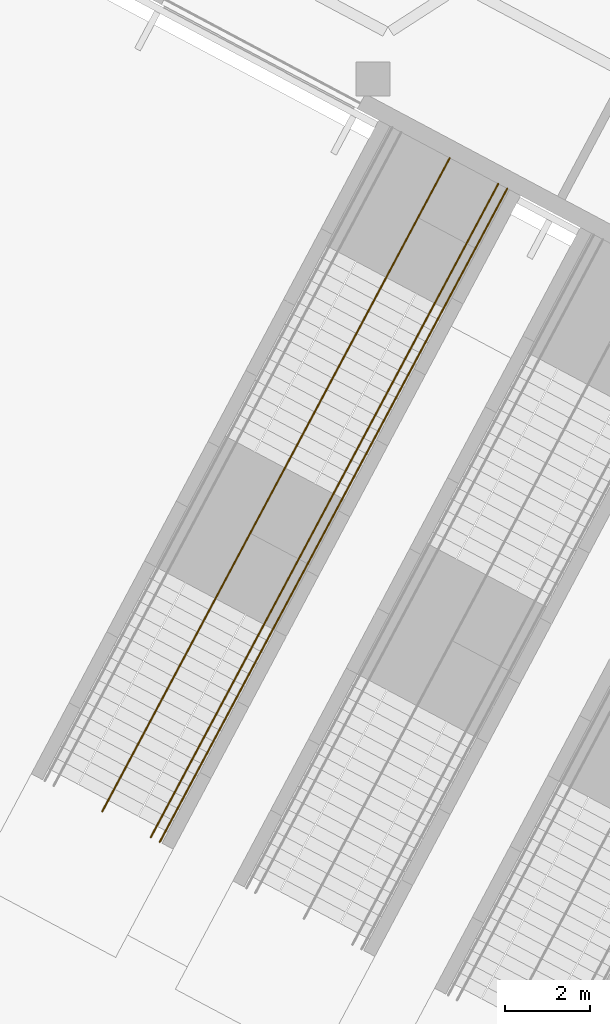
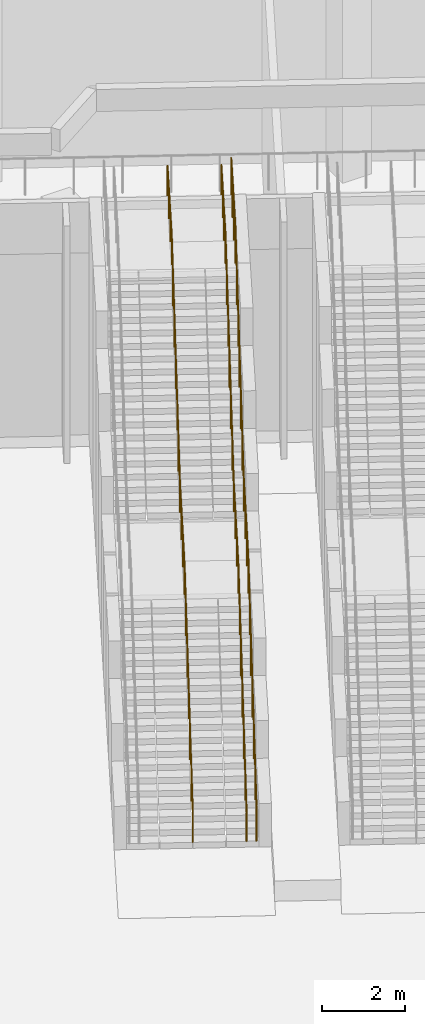
# One storey, part 38 of 57: 3 railings.
"""IFC4 building model written with IfcOpenShell, lengths in metres."""

from ifc_helpers import new_model, si_unit, direction, frame, origin, place, context, subcontext, project, spatial, polyline, outline, extrude, material, type_object, element, save


model = new_model("IFC4")

# Units and contexts
model_context = context("Model", 3, precision=1e-05, world=origin(), true_north=direction((0.0, 1.0)))
body_context = subcontext(model_context, "Body", "Model", "MODEL_VIEW")
ifc_project = project(units=[si_unit("LENGTHUNIT", "METRE"), si_unit("AREAUNIT", "SQUARE_METRE"), si_unit("VOLUMEUNIT", "CUBIC_METRE"), si_unit("PLANEANGLEUNIT", "RADIAN"), si_unit("MASSUNIT", "GRAM", prefix="KILO")], contexts=[model_context])

# Site, building, storey
site_placement = place(None, origin())
site = spatial("IfcSite", under=ifc_project, at=site_placement, CompositionType="ELEMENT")
building_placement = place(site_placement, origin())
building = spatial("IfcBuilding", under=site, at=building_placement, Name="Cormorant Relay Tower", CompositionType="ELEMENT")
storey_placement = place(building_placement, origin())
storey = spatial("IfcBuildingStorey", under=building, at=storey_placement, Name="L00", CompositionType="ELEMENT", Elevation=0.0)

# Railings
ifc_material_1 = material(Name="Stainless steel 316", Category="steel")
railing_type_1 = type_object("IfcRailingType", Name="Podium stair handrail 900", PredefinedType="HANDRAIL", material=ifc_material_1)
railing_1_placement = place(storey_placement, frame((-35.8984375, -18.287353515625, 7.0)))
element("IfcRailing", 1, at=railing_1_placement, inside=storey, type_object=railing_type_1, Name="Stair handrail", PredefinedType="HANDRAIL", context=body_context, shape_type="SweptSolid", body=[
    extrude(outline(polyline([(0.022216796875, 0.00927734375), (0.00927734375, 0.022216796875), (-0.00927734375, 0.022216796875), (-0.022216796875, 0.00927734375), (-0.022216796875, -0.00927734375), (-0.00927734375, -0.022216796875), (0.00927734375, -0.022216796875), (0.022216796875, -0.00927734375), (0.022216796875, 0.00927734375)])), frame((0.0, 0.0, 0.8759765625), z_axis=(-0.469434248776, -0.882967432059, 0.0), x_axis=(0.882967432059, -0.469434248776, 0.0)), (0.0, 0.0, 1.0), 2.89990234375),
    extrude(outline(polyline([(0.022216796875, 0.00927734375), (0.00927734375, 0.022216796875), (-0.00927734375, 0.022216796875), (-0.022216796875, 0.00927734375), (-0.022216796875, -0.00927734375), (-0.00927734375, -0.022216796875), (0.00927734375, -0.022216796875), (0.022216796875, -0.00927734375), (0.022216796875, 0.00927734375)])), frame((-1.361328125, -2.560546875, 0.8759765625), z_axis=(-0.40552993965, -0.762667108471, -0.50386937762), x_axis=(0.882941524652, -0.469482975245, 0.0)), (0.0, 0.0, 1.0), 6.598876953125),
    extrude(outline(polyline([(0.022216796875, 0.00927734375), (0.00927734375, 0.022216796875), (-0.00927734375, 0.022216796875), (-0.022216796875, 0.00927734375), (-0.022216796875, -0.00927734375), (-0.00927734375, -0.022216796875), (0.00927734375, -0.022216796875), (0.022216796875, -0.00927734375), (0.022216796875, 0.00927734375)])), frame((-4.037353515625, -7.59326171875, -2.44921875), z_axis=(-0.468742586737, -0.881644394004, -0.054621881146), x_axis=(0.88296255937, -0.469443413791, 0.0)), (0.0, 0.0, 1.0), 3.204833984375),
    extrude(outline(polyline([(0.022216796875, 0.00927734375), (0.00927734375, 0.022216796875), (-0.00927734375, 0.022216796875), (-0.022216796875, 0.00927734375), (-0.022216796875, -0.00927734375), (-0.00927734375, -0.022216796875), (0.00927734375, -0.022216796875), (0.022216796875, -0.00927734375), (0.022216796875, 0.00927734375)])), frame((-5.53955078125, -10.418701171875, -2.6240234375), z_axis=(-0.4055184971, -0.762682585322, -0.503855160296), x_axis=(0.882950964929, -0.46946522079, 0.0)), (0.0, 0.0, 1.0), 6.59912109375),
    extrude(outline(polyline([(0.019287109375, 0.008056640625), (0.008056640625, 0.019287109375), (-0.008056640625, 0.019287109375), (-0.019287109375, 0.008056640625), (-0.019287109375, -0.008056640625), (-0.008056640625, -0.019287109375), (0.008056640625, -0.019287109375), (0.019287109375, -0.008056640625), (0.019287109375, 0.008056640625)])), origin(), (0.0, 0.0, 1.0), 0.851806640625),
    extrude(outline(polyline([(0.019287109375, 0.008056640625), (0.008056640625, 0.019287109375), (-0.008056640625, 0.019287109375), (-0.019287109375, 0.008056640625), (-0.019287109375, -0.008056640625), (-0.008056640625, -0.019287109375), (0.008056640625, -0.019287109375), (0.019287109375, -0.008056640625), (0.019287109375, 0.008056640625)])), frame((-0.453857421875, -0.853515625, 0.0)), (0.0, 0.0, 1.0), 0.851806640625),
    extrude(outline(polyline([(0.019287109375, 0.008056640625), (0.008056640625, 0.019287109375), (-0.008056640625, 0.019287109375), (-0.019287109375, 0.008056640625), (-0.019287109375, -0.008056640625), (-0.008056640625, -0.019287109375), (0.008056640625, -0.019287109375), (0.019287109375, -0.008056640625), (0.019287109375, 0.008056640625)])), frame((-0.907470703125, -1.70703125, 0.0)), (0.0, 0.0, 1.0), 0.851806640625),
    extrude(outline(polyline([(0.019287109375, 0.008056640625), (0.008056640625, 0.019287109375), (-0.008056640625, 0.019287109375), (-0.019287109375, 0.008056640625), (-0.019287109375, -0.008056640625), (-0.008056640625, -0.019287109375), (0.008056640625, -0.019287109375), (0.019287109375, -0.008056640625), (0.019287109375, 0.008056640625)])), frame((-1.361328125, -2.560546875, 0.0)), (0.0, 0.0, 1.0), 0.851806640625),
    extrude(outline(polyline([(0.019287109375, 0.008056640625), (0.008056640625, 0.019287109375), (-0.008056640625, 0.019287109375), (-0.019287109375, 0.008056640625), (-0.019287109375, -0.008056640625), (-0.008056640625, -0.019287109375), (0.008056640625, -0.019287109375), (0.019287109375, -0.008056640625), (0.019287109375, 0.008056640625)])), frame((-1.807373046875, -3.3994140625, -0.55419921875)), (0.0, 0.0, 1.0), 0.851806640625),
    extrude(outline(polyline([(0.019287109375, 0.008056640625), (0.008056640625, 0.019287109375), (-0.008056640625, 0.019287109375), (-0.019287109375, 0.008056640625), (-0.019287109375, -0.008056640625), (-0.008056640625, -0.019287109375), (0.008056640625, -0.019287109375), (0.019287109375, -0.008056640625), (0.019287109375, 0.008056640625)])), frame((-2.25341796875, -4.238037109375, -1.1083984375)), (0.0, 0.0, 1.0), 0.851806640625),
    extrude(outline(polyline([(0.019287109375, 0.008056640625), (0.008056640625, 0.019287109375), (-0.008056640625, 0.019287109375), (-0.019287109375, 0.008056640625), (-0.019287109375, -0.008056640625), (-0.008056640625, -0.019287109375), (0.008056640625, -0.019287109375), (0.019287109375, -0.008056640625), (0.019287109375, 0.008056640625)])), frame((-2.69921875, -5.076904296875, -1.66259765625)), (0.0, 0.0, 1.0), 0.851806640625),
    extrude(outline(polyline([(0.019287109375, 0.008056640625), (0.008056640625, 0.019287109375), (-0.008056640625, 0.019287109375), (-0.019287109375, 0.008056640625), (-0.019287109375, -0.008056640625), (-0.008056640625, -0.019287109375), (0.008056640625, -0.019287109375), (0.019287109375, -0.008056640625), (0.019287109375, 0.008056640625)])), frame((-3.145263671875, -5.915771484375, -2.216552734375)), (0.0, 0.0, 1.0), 0.851806640625),
    extrude(outline(polyline([(0.019287109375, 0.008056640625), (0.008056640625, 0.019287109375), (-0.008056640625, 0.019287109375), (-0.019287109375, 0.008056640625), (-0.019287109375, -0.008056640625), (-0.008056640625, -0.019287109375), (0.008056640625, -0.019287109375), (0.019287109375, -0.008056640625), (0.019287109375, 0.008056640625)])), frame((-3.59130859375, -6.75439453125, -2.770751953125)), (0.0, 0.0, 1.0), 0.851806640625),
    extrude(outline(polyline([(0.019287109375, 0.008056640625), (0.008056640625, 0.019287109375), (-0.008056640625, 0.019287109375), (-0.019287109375, 0.008056640625), (-0.019287109375, -0.008056640625), (-0.008056640625, -0.019287109375), (0.008056640625, -0.019287109375), (0.019287109375, -0.008056640625), (0.019287109375, 0.008056640625)])), frame((-4.037353515625, -7.59326171875, -3.324951171875)), (0.0, 0.0, 1.0), 0.851806640625),
    extrude(outline(polyline([(0.019287109375, 0.008056640625), (0.008056640625, 0.019287109375), (-0.008056640625, 0.019287109375), (-0.019287109375, 0.008056640625), (-0.019287109375, -0.008056640625), (-0.008056640625, -0.019287109375), (0.008056640625, -0.019287109375), (0.019287109375, -0.008056640625), (0.019287109375, 0.008056640625)])), frame((-4.5380859375, -8.53515625, -3.38330078125)), (0.0, 0.0, 1.0), 0.851806640625),
    extrude(outline(polyline([(0.019287109375, 0.008056640625), (0.008056640625, 0.019287109375), (-0.008056640625, 0.019287109375), (-0.019287109375, 0.008056640625), (-0.019287109375, -0.008056640625), (-0.008056640625, -0.019287109375), (0.008056640625, -0.019287109375), (0.019287109375, -0.008056640625), (0.019287109375, 0.008056640625)])), frame((-5.038818359375, -9.476806640625, -3.441650390625)), (0.0, 0.0, 1.0), 0.851806640625),
    extrude(outline(polyline([(0.019287109375, 0.008056640625), (0.008056640625, 0.019287109375), (-0.008056640625, 0.019287109375), (-0.019287109375, 0.008056640625), (-0.019287109375, -0.008056640625), (-0.008056640625, -0.019287109375), (0.008056640625, -0.019287109375), (0.019287109375, -0.008056640625), (0.019287109375, 0.008056640625)])), frame((-5.53955078125, -10.418701171875, -3.5)), (0.0, 0.0, 1.0), 0.851806640625),
    extrude(outline(polyline([(0.019287109375, 0.008056640625), (0.008056640625, 0.019287109375), (-0.008056640625, 0.019287109375), (-0.019287109375, 0.008056640625), (-0.019287109375, -0.008056640625), (-0.008056640625, -0.019287109375), (0.008056640625, -0.019287109375), (0.019287109375, -0.008056640625), (0.019287109375, 0.008056640625)])), frame((-5.985595703125, -11.257568359375, -4.05419921875)), (0.0, 0.0, 1.0), 0.851806640625),
    extrude(outline(polyline([(0.019287109375, 0.008056640625), (0.008056640625, 0.019287109375), (-0.008056640625, 0.019287109375), (-0.019287109375, 0.008056640625), (-0.019287109375, -0.008056640625), (-0.008056640625, -0.019287109375), (0.008056640625, -0.019287109375), (0.019287109375, -0.008056640625), (0.019287109375, 0.008056640625)])), frame((-6.431640625, -12.096435546875, -4.6083984375)), (0.0, 0.0, 1.0), 0.851806640625),
    extrude(outline(polyline([(0.019287109375, 0.008056640625), (0.008056640625, 0.019287109375), (-0.008056640625, 0.019287109375), (-0.019287109375, 0.008056640625), (-0.019287109375, -0.008056640625), (-0.008056640625, -0.019287109375), (0.008056640625, -0.019287109375), (0.019287109375, -0.008056640625), (0.019287109375, 0.008056640625)])), frame((-6.87744140625, -12.93505859375, -5.16259765625)), (0.0, 0.0, 1.0), 0.851806640625),
    extrude(outline(polyline([(0.019287109375, 0.008056640625), (0.008056640625, 0.019287109375), (-0.008056640625, 0.019287109375), (-0.019287109375, 0.008056640625), (-0.019287109375, -0.008056640625), (-0.008056640625, -0.019287109375), (0.008056640625, -0.019287109375), (0.019287109375, -0.008056640625), (0.019287109375, 0.008056640625)])), frame((-7.323486328125, -13.77392578125, -5.716552734375)), (0.0, 0.0, 1.0), 0.851806640625),
    extrude(outline(polyline([(0.019287109375, 0.008056640625), (0.008056640625, 0.019287109375), (-0.008056640625, 0.019287109375), (-0.019287109375, 0.008056640625), (-0.019287109375, -0.008056640625), (-0.008056640625, -0.019287109375), (0.008056640625, -0.019287109375), (0.019287109375, -0.008056640625), (0.019287109375, 0.008056640625)])), frame((-7.76953125, -14.61279296875, -6.270751953125)), (0.0, 0.0, 1.0), 0.851806640625),
    extrude(outline(polyline([(0.019287109375, 0.008056640625), (0.008056640625, 0.019287109375), (-0.008056640625, 0.019287109375), (-0.019287109375, 0.008056640625), (-0.019287109375, -0.008056640625), (-0.008056640625, -0.019287109375), (0.008056640625, -0.019287109375), (0.019287109375, -0.008056640625), (0.019287109375, 0.008056640625)])), frame((-8.215576171875, -15.45166015625, -6.824951171875)), (0.0, 0.0, 1.0), 0.851806640625),
])
railing_2_placement = place(storey_placement, frame((-34.75048828125, -18.897705078125, 7.0)))
element("IfcRailing", 2, at=railing_2_placement, inside=storey, type_object=railing_type_1, Name="Stair handrail", PredefinedType="HANDRAIL", context=body_context, shape_type="SweptSolid", body=[
    extrude(outline(polyline([(0.022216796875, 0.00927734375), (0.00927734375, 0.022216796875), (-0.00927734375, 0.022216796875), (-0.022216796875, 0.00927734375), (-0.022216796875, -0.00927734375), (-0.00927734375, -0.022216796875), (0.00927734375, -0.022216796875), (0.022216796875, -0.00927734375), (0.022216796875, 0.00927734375)])), frame((0.0, 0.0, 0.8759765625), z_axis=(-0.469499880774, -0.882932535335, 0.0), x_axis=(0.882932535335, -0.469499880774, 0.0)), (0.0, 0.0, 1.0), 2.900146484375),
    extrude(outline(polyline([(0.022216796875, 0.00927734375), (0.00927734375, 0.022216796875), (-0.00927734375, 0.022216796875), (-0.022216796875, 0.00927734375), (-0.022216796875, -0.00927734375), (-0.00927734375, -0.022216796875), (0.00927734375, -0.022216796875), (0.022216796875, -0.00927734375), (0.022216796875, 0.00927734375)])), frame((-1.361572265625, -2.560546875, 0.8759765625), z_axis=(-0.40552993965, -0.762667108471, -0.50386937762), x_axis=(0.882941524652, -0.469482975245, 0.0)), (0.0, 0.0, 1.0), 6.598876953125),
    extrude(outline(polyline([(0.022216796875, 0.00927734375), (0.00927734375, 0.022216796875), (-0.00927734375, 0.022216796875), (-0.022216796875, 0.00927734375), (-0.022216796875, -0.00927734375), (-0.00927734375, -0.022216796875), (0.00927734375, -0.022216796875), (0.022216796875, -0.00927734375), (0.022216796875, 0.00927734375)])), frame((-4.03759765625, -7.59326171875, -2.44921875), z_axis=(-0.468742586737, -0.881644394004, -0.054621881146), x_axis=(0.88296255937, -0.469443413791, 0.0)), (0.0, 0.0, 1.0), 3.204833984375),
    extrude(outline(polyline([(0.022216796875, 0.00927734375), (0.00927734375, 0.022216796875), (-0.00927734375, 0.022216796875), (-0.022216796875, 0.00927734375), (-0.022216796875, -0.00927734375), (-0.00927734375, -0.022216796875), (0.00927734375, -0.022216796875), (0.022216796875, -0.00927734375), (0.022216796875, 0.00927734375)])), frame((-5.539794921875, -10.418701171875, -2.6240234375), z_axis=(-0.40552993965, -0.762667108471, -0.50386937762), x_axis=(0.882941524652, -0.469482975245, 0.0)), (0.0, 0.0, 1.0), 6.598876953125),
    extrude(outline(polyline([(0.019287109375, 0.008056640625), (0.008056640625, 0.019287109375), (-0.008056640625, 0.019287109375), (-0.019287109375, 0.008056640625), (-0.019287109375, -0.008056640625), (-0.008056640625, -0.019287109375), (0.008056640625, -0.019287109375), (0.019287109375, -0.008056640625), (0.019287109375, 0.008056640625)])), origin(), (0.0, 0.0, 1.0), 0.851806640625),
    extrude(outline(polyline([(0.019287109375, 0.008056640625), (0.008056640625, 0.019287109375), (-0.008056640625, 0.019287109375), (-0.019287109375, 0.008056640625), (-0.019287109375, -0.008056640625), (-0.008056640625, -0.019287109375), (0.008056640625, -0.019287109375), (0.019287109375, -0.008056640625), (0.019287109375, 0.008056640625)])), frame((-0.453857421875, -0.853515625, 0.0)), (0.0, 0.0, 1.0), 0.851806640625),
    extrude(outline(polyline([(0.019287109375, 0.008056640625), (0.008056640625, 0.019287109375), (-0.008056640625, 0.019287109375), (-0.019287109375, 0.008056640625), (-0.019287109375, -0.008056640625), (-0.008056640625, -0.019287109375), (0.008056640625, -0.019287109375), (0.019287109375, -0.008056640625), (0.019287109375, 0.008056640625)])), frame((-0.90771484375, -1.70703125, 0.0)), (0.0, 0.0, 1.0), 0.851806640625),
    extrude(outline(polyline([(0.019287109375, 0.008056640625), (0.008056640625, 0.019287109375), (-0.008056640625, 0.019287109375), (-0.019287109375, 0.008056640625), (-0.019287109375, -0.008056640625), (-0.008056640625, -0.019287109375), (0.008056640625, -0.019287109375), (0.019287109375, -0.008056640625), (0.019287109375, 0.008056640625)])), frame((-1.361572265625, -2.560546875, 0.0)), (0.0, 0.0, 1.0), 0.851806640625),
    extrude(outline(polyline([(0.019287109375, 0.008056640625), (0.008056640625, 0.019287109375), (-0.008056640625, 0.019287109375), (-0.019287109375, 0.008056640625), (-0.019287109375, -0.008056640625), (-0.008056640625, -0.019287109375), (0.008056640625, -0.019287109375), (0.019287109375, -0.008056640625), (0.019287109375, 0.008056640625)])), frame((-1.8076171875, -3.3994140625, -0.55419921875)), (0.0, 0.0, 1.0), 0.851806640625),
    extrude(outline(polyline([(0.019287109375, 0.008056640625), (0.008056640625, 0.019287109375), (-0.008056640625, 0.019287109375), (-0.019287109375, 0.008056640625), (-0.019287109375, -0.008056640625), (-0.008056640625, -0.019287109375), (0.008056640625, -0.019287109375), (0.019287109375, -0.008056640625), (0.019287109375, 0.008056640625)])), frame((-2.253662109375, -4.238037109375, -1.1083984375)), (0.0, 0.0, 1.0), 0.851806640625),
    extrude(outline(polyline([(0.019287109375, 0.008056640625), (0.008056640625, 0.019287109375), (-0.008056640625, 0.019287109375), (-0.019287109375, 0.008056640625), (-0.019287109375, -0.008056640625), (-0.008056640625, -0.019287109375), (0.008056640625, -0.019287109375), (0.019287109375, -0.008056640625), (0.019287109375, 0.008056640625)])), frame((-2.69970703125, -5.076904296875, -1.66259765625)), (0.0, 0.0, 1.0), 0.851806640625),
    extrude(outline(polyline([(0.019287109375, 0.008056640625), (0.008056640625, 0.019287109375), (-0.008056640625, 0.019287109375), (-0.019287109375, 0.008056640625), (-0.019287109375, -0.008056640625), (-0.008056640625, -0.019287109375), (0.008056640625, -0.019287109375), (0.019287109375, -0.008056640625), (0.019287109375, 0.008056640625)])), frame((-3.1455078125, -5.915771484375, -2.216552734375)), (0.0, 0.0, 1.0), 0.851806640625),
    extrude(outline(polyline([(0.019287109375, 0.008056640625), (0.008056640625, 0.019287109375), (-0.008056640625, 0.019287109375), (-0.019287109375, 0.008056640625), (-0.019287109375, -0.008056640625), (-0.008056640625, -0.019287109375), (0.008056640625, -0.019287109375), (0.019287109375, -0.008056640625), (0.019287109375, 0.008056640625)])), frame((-3.591552734375, -6.75439453125, -2.770751953125)), (0.0, 0.0, 1.0), 0.851806640625),
    extrude(outline(polyline([(0.019287109375, 0.008056640625), (0.008056640625, 0.019287109375), (-0.008056640625, 0.019287109375), (-0.019287109375, 0.008056640625), (-0.019287109375, -0.008056640625), (-0.008056640625, -0.019287109375), (0.008056640625, -0.019287109375), (0.019287109375, -0.008056640625), (0.019287109375, 0.008056640625)])), frame((-4.03759765625, -7.59326171875, -3.324951171875)), (0.0, 0.0, 1.0), 0.851806640625),
    extrude(outline(polyline([(0.019287109375, 0.008056640625), (0.008056640625, 0.019287109375), (-0.008056640625, 0.019287109375), (-0.019287109375, 0.008056640625), (-0.019287109375, -0.008056640625), (-0.008056640625, -0.019287109375), (0.008056640625, -0.019287109375), (0.019287109375, -0.008056640625), (0.019287109375, 0.008056640625)])), frame((-4.538330078125, -8.53515625, -3.38330078125)), (0.0, 0.0, 1.0), 0.851806640625),
    extrude(outline(polyline([(0.019287109375, 0.008056640625), (0.008056640625, 0.019287109375), (-0.008056640625, 0.019287109375), (-0.019287109375, 0.008056640625), (-0.019287109375, -0.008056640625), (-0.008056640625, -0.019287109375), (0.008056640625, -0.019287109375), (0.019287109375, -0.008056640625), (0.019287109375, 0.008056640625)])), frame((-5.0390625, -9.476806640625, -3.441650390625)), (0.0, 0.0, 1.0), 0.851806640625),
    extrude(outline(polyline([(0.019287109375, 0.008056640625), (0.008056640625, 0.019287109375), (-0.008056640625, 0.019287109375), (-0.019287109375, 0.008056640625), (-0.019287109375, -0.008056640625), (-0.008056640625, -0.019287109375), (0.008056640625, -0.019287109375), (0.019287109375, -0.008056640625), (0.019287109375, 0.008056640625)])), frame((-5.539794921875, -10.418701171875, -3.5)), (0.0, 0.0, 1.0), 0.851806640625),
    extrude(outline(polyline([(0.019287109375, 0.008056640625), (0.008056640625, 0.019287109375), (-0.008056640625, 0.019287109375), (-0.019287109375, 0.008056640625), (-0.019287109375, -0.008056640625), (-0.008056640625, -0.019287109375), (0.008056640625, -0.019287109375), (0.019287109375, -0.008056640625), (0.019287109375, 0.008056640625)])), frame((-5.98583984375, -11.257568359375, -4.05419921875)), (0.0, 0.0, 1.0), 0.851806640625),
    extrude(outline(polyline([(0.019287109375, 0.008056640625), (0.008056640625, 0.019287109375), (-0.008056640625, 0.019287109375), (-0.019287109375, 0.008056640625), (-0.019287109375, -0.008056640625), (-0.008056640625, -0.019287109375), (0.008056640625, -0.019287109375), (0.019287109375, -0.008056640625), (0.019287109375, 0.008056640625)])), frame((-6.431884765625, -12.09619140625, -4.6083984375)), (0.0, 0.0, 1.0), 0.851806640625),
    extrude(outline(polyline([(0.019287109375, 0.008056640625), (0.008056640625, 0.019287109375), (-0.008056640625, 0.019287109375), (-0.019287109375, 0.008056640625), (-0.019287109375, -0.008056640625), (-0.008056640625, -0.019287109375), (0.008056640625, -0.019287109375), (0.019287109375, -0.008056640625), (0.019287109375, 0.008056640625)])), frame((-6.8779296875, -12.93505859375, -5.16259765625)), (0.0, 0.0, 1.0), 0.851806640625),
    extrude(outline(polyline([(0.019287109375, 0.008056640625), (0.008056640625, 0.019287109375), (-0.008056640625, 0.019287109375), (-0.019287109375, 0.008056640625), (-0.019287109375, -0.008056640625), (-0.008056640625, -0.019287109375), (0.008056640625, -0.019287109375), (0.019287109375, -0.008056640625), (0.019287109375, 0.008056640625)])), frame((-7.32373046875, -13.77392578125, -5.716552734375)), (0.0, 0.0, 1.0), 0.851806640625),
    extrude(outline(polyline([(0.019287109375, 0.008056640625), (0.008056640625, 0.019287109375), (-0.008056640625, 0.019287109375), (-0.019287109375, 0.008056640625), (-0.019287109375, -0.008056640625), (-0.008056640625, -0.019287109375), (0.008056640625, -0.019287109375), (0.019287109375, -0.008056640625), (0.019287109375, 0.008056640625)])), frame((-7.769775390625, -14.612548828125, -6.270751953125)), (0.0, 0.0, 1.0), 0.851806640625),
    extrude(outline(polyline([(0.019287109375, 0.008056640625), (0.008056640625, 0.019287109375), (-0.008056640625, 0.019287109375), (-0.019287109375, 0.008056640625), (-0.019287109375, -0.008056640625), (-0.008056640625, -0.019287109375), (0.008056640625, -0.019287109375), (0.019287109375, -0.008056640625), (0.019287109375, 0.008056640625)])), frame((-8.2158203125, -15.451416015625, -6.824951171875)), (0.0, 0.0, 1.0), 0.851806640625),
])
ifc_material_2 = material(Name="Bronze anodised aluminium", Category="aluminium")
railing_type_2 = type_object("IfcRailingType", Name="Stair guard steel 1100", PredefinedType="GUARDRAIL", material=ifc_material_2)
railing_3_placement = place(storey_placement, frame((-34.53857421875, -19.01025390625, 7.0)))
element("IfcRailing", 3, at=railing_3_placement, inside=storey, type_object=railing_type_2, Name="Stair guard", PredefinedType="GUARDRAIL", context=body_context, shape_type="SweptSolid", body=[
    extrude(outline(polyline([(0.022216796875, 0.00927734375), (0.00927734375, 0.022216796875), (-0.00927734375, 0.022216796875), (-0.022216796875, 0.00927734375), (-0.022216796875, -0.00927734375), (-0.00927734375, -0.022216796875), (0.00927734375, -0.022216796875), (0.022216796875, -0.00927734375), (0.022216796875, 0.00927734375)])), frame((0.0, 0.0, 1.076171875), z_axis=(-0.469499880774, -0.882932535335, 0.0), x_axis=(0.882932535335, -0.469499880774, 0.0)), (0.0, 0.0, 1.0), 2.900146484375),
    extrude(outline(polyline([(0.022216796875, 0.00927734375), (0.00927734375, 0.022216796875), (-0.00927734375, 0.022216796875), (-0.022216796875, 0.00927734375), (-0.022216796875, -0.00927734375), (-0.00927734375, -0.022216796875), (0.00927734375, -0.022216796875), (0.022216796875, -0.00927734375), (0.022216796875, 0.00927734375)])), frame((-1.361572265625, -2.560546875, 1.076171875), z_axis=(-0.40552993965, -0.762667108471, -0.50386937762), x_axis=(0.882941524652, -0.469482975245, 0.0)), (0.0, 0.0, 1.0), 6.598876953125),
    extrude(outline(polyline([(0.022216796875, 0.00927734375), (0.00927734375, 0.022216796875), (-0.00927734375, 0.022216796875), (-0.022216796875, 0.00927734375), (-0.022216796875, -0.00927734375), (-0.00927734375, -0.022216796875), (0.00927734375, -0.022216796875), (0.022216796875, -0.00927734375), (0.022216796875, 0.00927734375)])), frame((-4.03759765625, -7.59326171875, -2.2490234375), z_axis=(-0.468711105603, -0.881661358077, -0.054618212696), x_axis=(0.882979371353, -0.469411791251, 0.0)), (0.0, 0.0, 1.0), 3.204833984375),
    extrude(outline(polyline([(0.022216796875, 0.00927734375), (0.00927734375, 0.022216796875), (-0.00927734375, 0.022216796875), (-0.022216796875, 0.00927734375), (-0.022216796875, -0.00927734375), (-0.00927734375, -0.022216796875), (0.00927734375, -0.022216796875), (0.022216796875, -0.00927734375), (0.022216796875, 0.00927734375)])), frame((-5.539794921875, -10.4189453125, -2.423828125), z_axis=(-0.40552993965, -0.762667108471, -0.50386937762), x_axis=(0.882941524652, -0.469482975245, 0.0)), (0.0, 0.0, 1.0), 6.598876953125),
    extrude(outline(polyline([(0.019287109375, 0.008056640625), (0.008056640625, 0.019287109375), (-0.008056640625, 0.019287109375), (-0.019287109375, 0.008056640625), (-0.019287109375, -0.008056640625), (-0.008056640625, -0.019287109375), (0.008056640625, -0.019287109375), (0.019287109375, -0.008056640625), (0.019287109375, 0.008056640625)])), origin(), (0.0, 0.0, 1.0), 1.052001953125),
    extrude(outline(polyline([(0.019287109375, 0.008056640625), (0.008056640625, 0.019287109375), (-0.008056640625, 0.019287109375), (-0.019287109375, 0.008056640625), (-0.019287109375, -0.008056640625), (-0.008056640625, -0.019287109375), (0.008056640625, -0.019287109375), (0.019287109375, -0.008056640625), (0.019287109375, 0.008056640625)])), frame((-0.453857421875, -0.853515625, 0.0)), (0.0, 0.0, 1.0), 1.052001953125),
    extrude(outline(polyline([(0.019287109375, 0.008056640625), (0.008056640625, 0.019287109375), (-0.008056640625, 0.019287109375), (-0.019287109375, 0.008056640625), (-0.019287109375, -0.008056640625), (-0.008056640625, -0.019287109375), (0.008056640625, -0.019287109375), (0.019287109375, -0.008056640625), (0.019287109375, 0.008056640625)])), frame((-0.90771484375, -1.70703125, 0.0)), (0.0, 0.0, 1.0), 1.052001953125),
    extrude(outline(polyline([(0.019287109375, 0.008056640625), (0.008056640625, 0.019287109375), (-0.008056640625, 0.019287109375), (-0.019287109375, 0.008056640625), (-0.019287109375, -0.008056640625), (-0.008056640625, -0.019287109375), (0.008056640625, -0.019287109375), (0.019287109375, -0.008056640625), (0.019287109375, 0.008056640625)])), frame((-1.361572265625, -2.560546875, 0.0)), (0.0, 0.0, 1.0), 1.052001953125),
    extrude(outline(polyline([(0.019287109375, 0.008056640625), (0.008056640625, 0.019287109375), (-0.008056640625, 0.019287109375), (-0.019287109375, 0.008056640625), (-0.019287109375, -0.008056640625), (-0.008056640625, -0.019287109375), (0.008056640625, -0.019287109375), (0.019287109375, -0.008056640625), (0.019287109375, 0.008056640625)])), frame((-1.8076171875, -3.3994140625, -0.55419921875)), (0.0, 0.0, 1.0), 1.052001953125),
    extrude(outline(polyline([(0.019287109375, 0.008056640625), (0.008056640625, 0.019287109375), (-0.008056640625, 0.019287109375), (-0.019287109375, 0.008056640625), (-0.019287109375, -0.008056640625), (-0.008056640625, -0.019287109375), (0.008056640625, -0.019287109375), (0.019287109375, -0.008056640625), (0.019287109375, 0.008056640625)])), frame((-2.253662109375, -4.238037109375, -1.1083984375)), (0.0, 0.0, 1.0), 1.052001953125),
    extrude(outline(polyline([(0.019287109375, 0.008056640625), (0.008056640625, 0.019287109375), (-0.008056640625, 0.019287109375), (-0.019287109375, 0.008056640625), (-0.019287109375, -0.008056640625), (-0.008056640625, -0.019287109375), (0.008056640625, -0.019287109375), (0.019287109375, -0.008056640625), (0.019287109375, 0.008056640625)])), frame((-2.69970703125, -5.076904296875, -1.66259765625)), (0.0, 0.0, 1.0), 1.052001953125),
    extrude(outline(polyline([(0.019287109375, 0.008056640625), (0.008056640625, 0.019287109375), (-0.008056640625, 0.019287109375), (-0.019287109375, 0.008056640625), (-0.019287109375, -0.008056640625), (-0.008056640625, -0.019287109375), (0.008056640625, -0.019287109375), (0.019287109375, -0.008056640625), (0.019287109375, 0.008056640625)])), frame((-3.1455078125, -5.915771484375, -2.216552734375)), (0.0, 0.0, 1.0), 1.052001953125),
    extrude(outline(polyline([(0.019287109375, 0.008056640625), (0.008056640625, 0.019287109375), (-0.008056640625, 0.019287109375), (-0.019287109375, 0.008056640625), (-0.019287109375, -0.008056640625), (-0.008056640625, -0.019287109375), (0.008056640625, -0.019287109375), (0.019287109375, -0.008056640625), (0.019287109375, 0.008056640625)])), frame((-3.591552734375, -6.75439453125, -2.770751953125)), (0.0, 0.0, 1.0), 1.052001953125),
    extrude(outline(polyline([(0.019287109375, 0.008056640625), (0.008056640625, 0.019287109375), (-0.008056640625, 0.019287109375), (-0.019287109375, 0.008056640625), (-0.019287109375, -0.008056640625), (-0.008056640625, -0.019287109375), (0.008056640625, -0.019287109375), (0.019287109375, -0.008056640625), (0.019287109375, 0.008056640625)])), frame((-4.03759765625, -7.59326171875, -3.324951171875)), (0.0, 0.0, 1.0), 1.052001953125),
    extrude(outline(polyline([(0.019287109375, 0.008056640625), (0.008056640625, 0.019287109375), (-0.008056640625, 0.019287109375), (-0.019287109375, 0.008056640625), (-0.019287109375, -0.008056640625), (-0.008056640625, -0.019287109375), (0.008056640625, -0.019287109375), (0.019287109375, -0.008056640625), (0.019287109375, 0.008056640625)])), frame((-4.538330078125, -8.53515625, -3.38330078125)), (0.0, 0.0, 1.0), 1.052001953125),
    extrude(outline(polyline([(0.019287109375, 0.008056640625), (0.008056640625, 0.019287109375), (-0.008056640625, 0.019287109375), (-0.019287109375, 0.008056640625), (-0.019287109375, -0.008056640625), (-0.008056640625, -0.019287109375), (0.008056640625, -0.019287109375), (0.019287109375, -0.008056640625), (0.019287109375, 0.008056640625)])), frame((-5.0390625, -9.47705078125, -3.441650390625)), (0.0, 0.0, 1.0), 1.052001953125),
    extrude(outline(polyline([(0.019287109375, 0.008056640625), (0.008056640625, 0.019287109375), (-0.008056640625, 0.019287109375), (-0.019287109375, 0.008056640625), (-0.019287109375, -0.008056640625), (-0.008056640625, -0.019287109375), (0.008056640625, -0.019287109375), (0.019287109375, -0.008056640625), (0.019287109375, 0.008056640625)])), frame((-5.539794921875, -10.4189453125, -3.5)), (0.0, 0.0, 1.0), 1.052001953125),
    extrude(outline(polyline([(0.019287109375, 0.008056640625), (0.008056640625, 0.019287109375), (-0.008056640625, 0.019287109375), (-0.019287109375, 0.008056640625), (-0.019287109375, -0.008056640625), (-0.008056640625, -0.019287109375), (0.008056640625, -0.019287109375), (0.019287109375, -0.008056640625), (0.019287109375, 0.008056640625)])), frame((-5.98583984375, -11.2578125, -4.05419921875)), (0.0, 0.0, 1.0), 1.052001953125),
    extrude(outline(polyline([(0.019287109375, 0.008056640625), (0.008056640625, 0.019287109375), (-0.008056640625, 0.019287109375), (-0.019287109375, 0.008056640625), (-0.019287109375, -0.008056640625), (-0.008056640625, -0.019287109375), (0.008056640625, -0.019287109375), (0.019287109375, -0.008056640625), (0.019287109375, 0.008056640625)])), frame((-6.431884765625, -12.096435546875, -4.6083984375)), (0.0, 0.0, 1.0), 1.052001953125),
    extrude(outline(polyline([(0.019287109375, 0.008056640625), (0.008056640625, 0.019287109375), (-0.008056640625, 0.019287109375), (-0.019287109375, 0.008056640625), (-0.019287109375, -0.008056640625), (-0.008056640625, -0.019287109375), (0.008056640625, -0.019287109375), (0.019287109375, -0.008056640625), (0.019287109375, 0.008056640625)])), frame((-6.8779296875, -12.935302734375, -5.16259765625)), (0.0, 0.0, 1.0), 1.052001953125),
    extrude(outline(polyline([(0.019287109375, 0.008056640625), (0.008056640625, 0.019287109375), (-0.008056640625, 0.019287109375), (-0.019287109375, 0.008056640625), (-0.019287109375, -0.008056640625), (-0.008056640625, -0.019287109375), (0.008056640625, -0.019287109375), (0.019287109375, -0.008056640625), (0.019287109375, 0.008056640625)])), frame((-7.32373046875, -13.774169921875, -5.716552734375)), (0.0, 0.0, 1.0), 1.052001953125),
    extrude(outline(polyline([(0.019287109375, 0.008056640625), (0.008056640625, 0.019287109375), (-0.008056640625, 0.019287109375), (-0.019287109375, 0.008056640625), (-0.019287109375, -0.008056640625), (-0.008056640625, -0.019287109375), (0.008056640625, -0.019287109375), (0.019287109375, -0.008056640625), (0.019287109375, 0.008056640625)])), frame((-7.769775390625, -14.61279296875, -6.270751953125)), (0.0, 0.0, 1.0), 1.052001953125),
    extrude(outline(polyline([(0.019287109375, 0.008056640625), (0.008056640625, 0.019287109375), (-0.008056640625, 0.019287109375), (-0.019287109375, 0.008056640625), (-0.019287109375, -0.008056640625), (-0.008056640625, -0.019287109375), (0.008056640625, -0.019287109375), (0.019287109375, -0.008056640625), (0.019287109375, 0.008056640625)])), frame((-8.2158203125, -15.45166015625, -6.824951171875)), (0.0, 0.0, 1.0), 1.052001953125),
])

save(model, "model.ifc")
